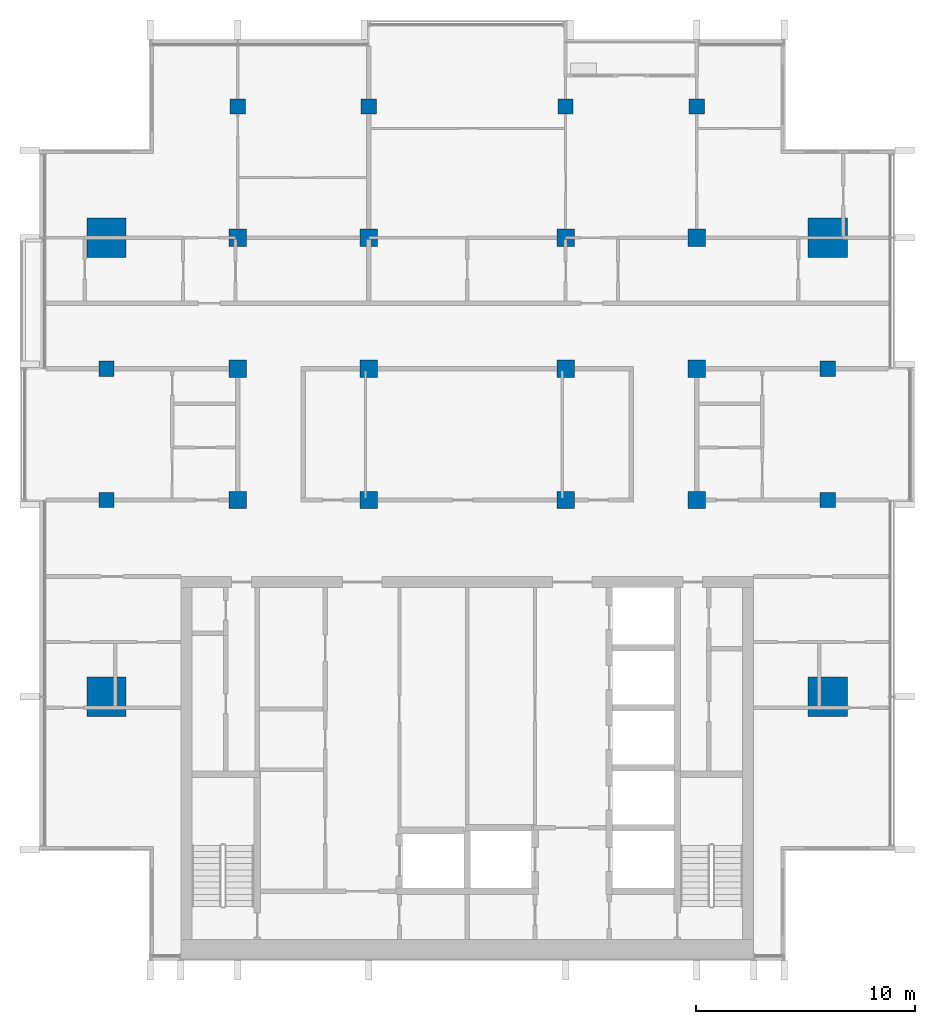
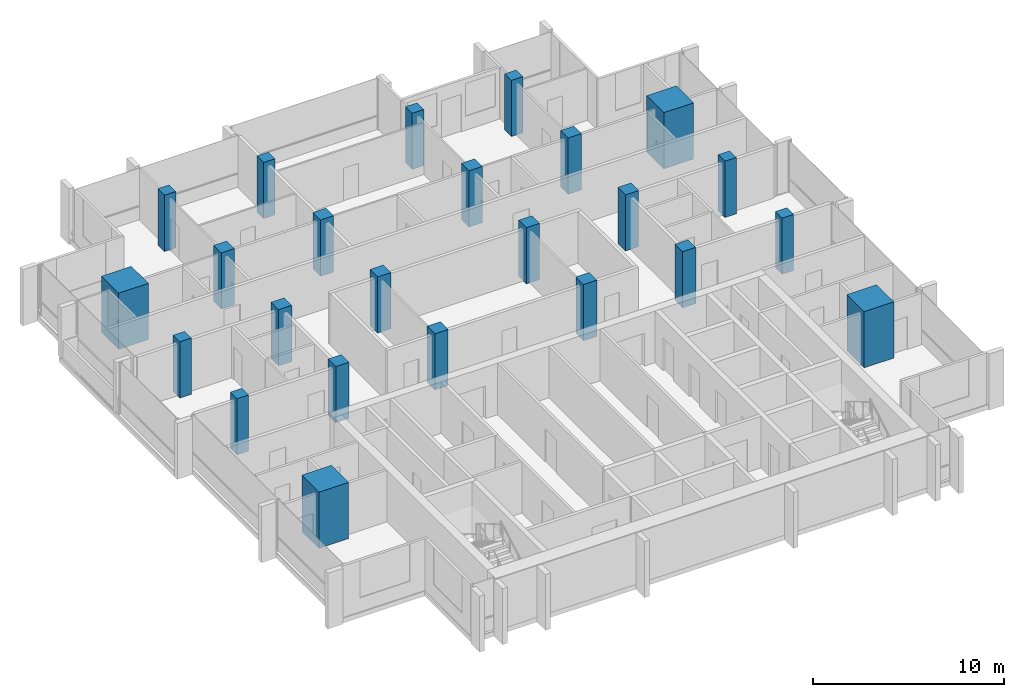
# One storey, part 1 of 16: 24 columns.
"""IFC4 building model written with IfcOpenShell, lengths in metres."""

from ifc_helpers import new_model, si_unit, direction, frame, origin, origin_2d, place, context, subcontext, project, spatial, rectangle, extrude, material, material_profile, profile_set, type_object, element, save


model = new_model("IFC4")

# Units and contexts
model_context = context("Model", 3, precision=1e-05, world=origin(), true_north=direction((0.0, 1.0)))
body_context = subcontext(model_context, "Body", "Model", "MODEL_VIEW")
ifc_project = project(units=[si_unit("LENGTHUNIT", "METRE"), si_unit("AREAUNIT", "SQUARE_METRE"), si_unit("VOLUMEUNIT", "CUBIC_METRE"), si_unit("PLANEANGLEUNIT", "RADIAN"), si_unit("MASSUNIT", "GRAM", prefix="KILO")], contexts=[model_context])

# Site, building, storey
site_placement = place(None, origin())
site = spatial("IfcSite", under=ifc_project, at=site_placement, CompositionType="ELEMENT")
building_placement = place(site_placement, origin())
building = spatial("IfcBuilding", under=site, at=building_placement, Name="Finial Court Residences", CompositionType="ELEMENT")
storey_placement = place(building_placement, frame((0.0, 0.0, 284.300048828125)))
storey = spatial("IfcBuildingStorey", under=building, at=storey_placement, Name="L72", CompositionType="ELEMENT", Elevation=284.300048828125)

# Columns
ifc_material = material(Name="Concrete C50/60", Category="concrete")
ifc_material_profile_1 = material_profile(ifc_material, rectangle(XDim=0.800048828125, YDim=0.800048828125, at=origin_2d()), Name="800x800")
ifc_profile_set_1 = profile_set([ifc_material_profile_1], Name="Concrete C50/60")
column_type_1 = type_object("IfcColumnType", Name="Interior column 800x800 Concrete C50/60", PredefinedType="COLUMN", material=ifc_profile_set_1)
for number, where, z_axis, x_axis, name in (
    (1, (-10.5, -4.5, 0.0), (0.0, 0.0, 1.0), (1.0, 0.0, 0.0), "S:COL:L72:D4"),
    (2, (-10.5, 1.5, 0.0), (0.0, 0.0, 1.0), (1.0, 0.0, 0.0), "S:COL:L72:D5"),
    (3, (-10.5, 7.5, 0.0), (0.0, 0.0, 1.0), (1.0, 0.0, 0.0), "S:COL:L72:D6"),
    (4, (-4.5, -4.5, 0.0), (0.0, 0.0, 1.0), (1.0, 0.0, 0.0), "S:COL:L72:E4"),
    (5, (-4.5, 1.5, 0.0), (0.0, 0.0, 1.0), (1.0, 0.0, 0.0), "S:COL:L72:E5"),
    (6, (-4.5, 7.5, 0.0), (0.0, 0.0, 1.0), (1.0, 0.0, 0.0), "S:COL:L72:E6"),
    (7, (4.5, -4.5, 0.0), (0.0, 0.0, 1.0), (1.0, 0.0, 0.0), "S:COL:L72:F4"),
    (8, (4.5, 1.5, 0.0), (0.0, 0.0, 1.0), (1.0, 0.0, 0.0), "S:COL:L72:F5"),
    (9, (4.5, 7.5, 0.0), (0.0, 0.0, 1.0), (1.0, 0.0, 0.0), "S:COL:L72:F6"),
    (10, (10.5, -4.5, 0.0), (0.0, 0.0, 1.0), (1.0, 0.0, 0.0), "S:COL:L72:G4"),
    (11, (10.5, 1.5, 0.0), (0.0, 0.0, 1.0), (1.0, 0.0, 0.0), "S:COL:L72:G5"),
    (12, (10.5, 7.5, 0.0), (0.0, 0.0, 1.0), (1.0, 0.0, 0.0), "S:COL:L72:G6"),
):
    element("IfcColumn", number, at=place(storey_placement, frame(where, z_axis=z_axis, x_axis=x_axis)), inside=storey, type_object=column_type_1, Name=name, PredefinedType="COLUMN", context=body_context, shape_type="SweptSolid", body=[
        extrude(rectangle(XDim=0.800048828125, YDim=0.800048828125, at=origin_2d()), origin(), (0.0, 0.0, 1.0), 3.599853515625),
    ])
ifc_material_profile_2 = material_profile(ifc_material, rectangle(XDim=1.800048828125, YDim=1.800048828125, at=origin_2d()), Name="1800x1800")
ifc_profile_set_2 = profile_set([ifc_material_profile_2], Name="Concrete C50/60")
column_type_2 = type_object("IfcColumnType", Name="Mega column 1800x1800 Concrete C50/60", PredefinedType="COLUMN", material=ifc_profile_set_2)
for number, where, z_axis, x_axis, name in (
    (13, (-16.5, -13.5, 0.0), (0.0, 0.0, 1.0), (1.0, 0.0, 0.0), "S:COL:L72:C3"),
    (14, (-16.5, 7.5, 0.0), (0.0, 0.0, 1.0), (1.0, 0.0, 0.0), "S:COL:L72:C6"),
    (15, (16.5, -13.5, 0.0), (0.0, 0.0, 1.0), (1.0, 0.0, 0.0), "S:COL:L72:H3"),
    (16, (16.5, 7.5, 0.0), (0.0, 0.0, 1.0), (1.0, 0.0, 0.0), "S:COL:L72:H6"),
):
    element("IfcColumn", number, at=place(storey_placement, frame(where, z_axis=z_axis, x_axis=x_axis)), inside=storey, type_object=column_type_2, Name=name, PredefinedType="COLUMN", context=body_context, shape_type="SweptSolid", body=[
        extrude(rectangle(XDim=1.800048828125, YDim=1.800048828125, at=origin_2d()), origin(), (0.0, 0.0, 1.0), 3.599853515625),
    ])
ifc_material_profile_3 = material_profile(ifc_material, rectangle(XDim=0.699951171875, YDim=0.699951171875, at=origin_2d()), Name="700x700")
ifc_profile_set_3 = profile_set([ifc_material_profile_3], Name="Concrete C50/60")
column_type_3 = type_object("IfcColumnType", Name="Perimeter column 700x700 Concrete C50/60", PredefinedType="COLUMN", material=ifc_profile_set_3)
for number, where, z_axis, x_axis, name in (
    (17, (-16.5, -4.5, 0.0), (0.0, 0.0, 1.0), (1.0, 0.0, 0.0), "S:COL:L72:C4"),
    (18, (-16.5, 1.5, 0.0), (0.0, 0.0, 1.0), (1.0, 0.0, 0.0), "S:COL:L72:C5"),
    (19, (-10.5, 13.5, 0.0), (0.0, 0.0, 1.0), (1.0, 0.0, 0.0), "S:COL:L72:D7"),
    (20, (-4.5, 13.5, 0.0), (0.0, 0.0, 1.0), (1.0, 0.0, 0.0), "S:COL:L72:E7"),
    (21, (4.5, 13.5, 0.0), (0.0, 0.0, 1.0), (1.0, 0.0, 0.0), "S:COL:L72:F7"),
    (22, (10.5, 13.5, 0.0), (0.0, 0.0, 1.0), (1.0, 0.0, 0.0), "S:COL:L72:G7"),
    (23, (16.5, -4.5, 0.0), (0.0, 0.0, 1.0), (1.0, 0.0, 0.0), "S:COL:L72:H4"),
    (24, (16.5, 1.5, 0.0), (0.0, 0.0, 1.0), (1.0, 0.0, 0.0), "S:COL:L72:H5"),
):
    element("IfcColumn", number, at=place(storey_placement, frame(where, z_axis=z_axis, x_axis=x_axis)), inside=storey, type_object=column_type_3, Name=name, PredefinedType="COLUMN", context=body_context, shape_type="SweptSolid", body=[
        extrude(rectangle(XDim=0.699951171875, YDim=0.699951171875, at=origin_2d()), origin(), (0.0, 0.0, 1.0), 3.599853515625),
    ])

save(model, "model.ifc")
